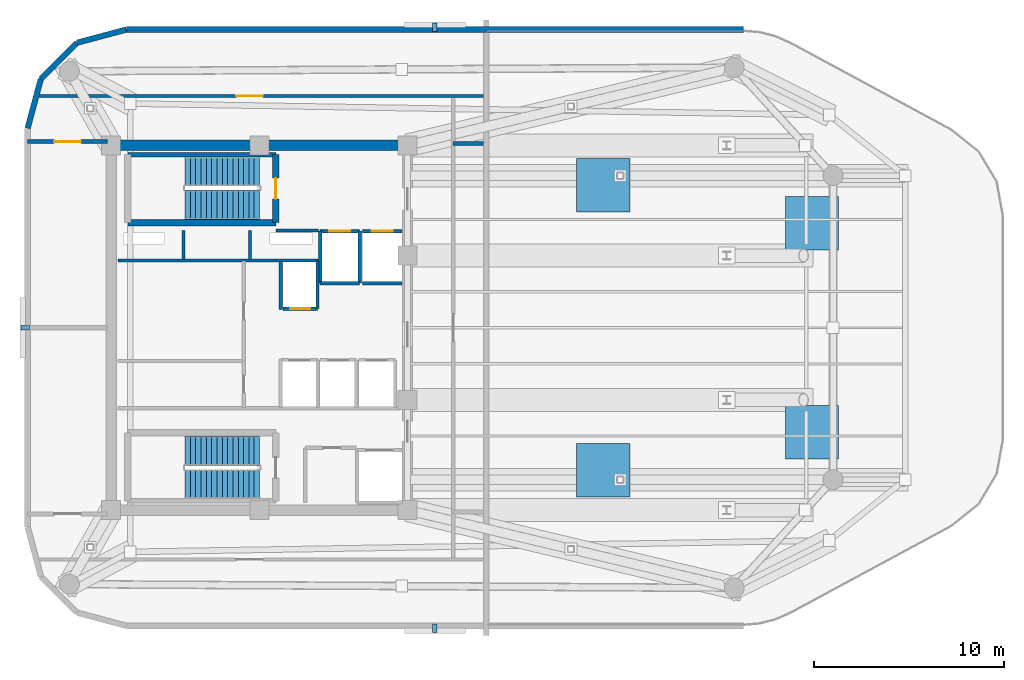
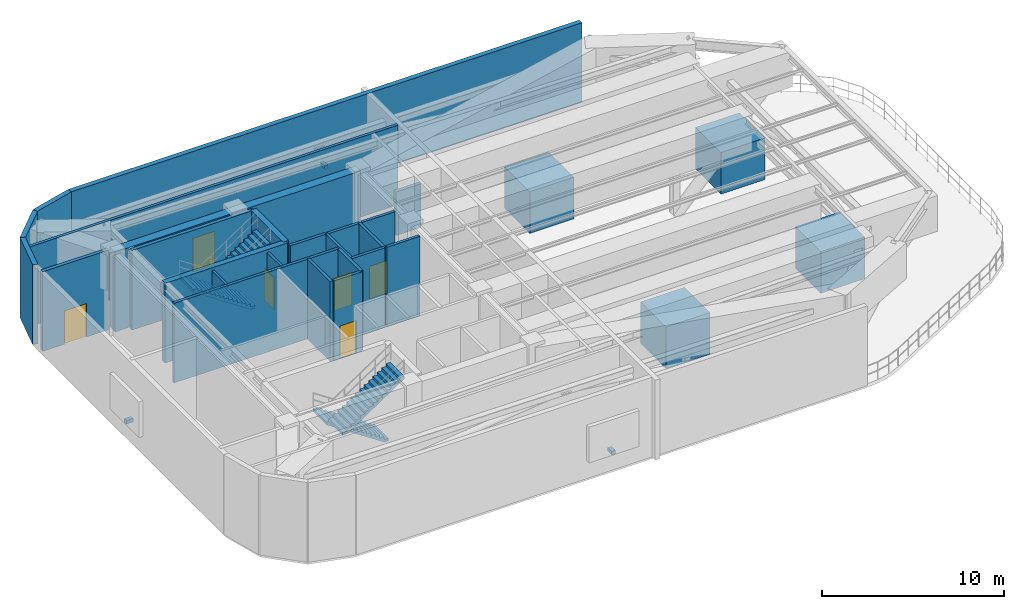
# One storey, part 4 of 6: 24 walls, 7 discrete accessories, 6 doors, 4 stair flights, 6 openings, 2 elements without a shape of their own.
"""IFC4 building model written with IfcOpenShell, lengths in metres."""

from ifc_helpers import new_model, si_unit, direction, frame, frame_2d, origin, origin_2d, place, context, subcontext, project, spatial, polyline, rectangle, outline, extrude, material, layer, layer_set, type_object, element, fill, aggregate, save


model = new_model("IFC4")

# Units and contexts
model_context = context("Model", 3, precision=1e-05, world=origin(), true_north=direction((0.0, 1.0)))
body_context = subcontext(model_context, "Body", "Model", "MODEL_VIEW")
ifc_project = project(units=[si_unit("LENGTHUNIT", "METRE"), si_unit("AREAUNIT", "SQUARE_METRE"), si_unit("VOLUMEUNIT", "CUBIC_METRE"), si_unit("PLANEANGLEUNIT", "RADIAN"), si_unit("MASSUNIT", "GRAM", prefix="KILO")], contexts=[model_context])

# Site, building, storey
site_placement = place(None, origin())
site = spatial("IfcSite", under=ifc_project, at=site_placement, CompositionType="ELEMENT")
building_placement = place(site_placement, origin())
building = spatial("IfcBuilding", under=site, at=building_placement, Name="An Khanh Terracotta Commons", CompositionType="ELEMENT")
storey_placement = place(building_placement, frame((0.0, 0.0, 248.10009765625)))
storey = spatial("IfcBuildingStorey", under=building, at=storey_placement, Name="L65", CompositionType="ELEMENT", Elevation=248.10009765625)

# Walls
ifc_material_1 = material(Name="Concrete C50/60", Category="concrete")
ifc_layer_1 = layer(ifc_material_1, 0.550048828125, Name="Concrete C50/60")
ifc_layer_set_1 = layer_set([ifc_layer_1], Name="Concrete C50/60")
wall_type_1 = type_object("IfcWallType", Name="WALL-CORE-550", PredefinedType="SHEAR", material=ifc_layer_set_1)
wall_1_placement = place(storey_placement, frame((21.60009765625, 33.60009765625, 0.0), z_axis=(0.0, 0.0, 1.0), x_axis=(1.0, 0.0, 0.0)))
element("IfcWall", 1, at=wall_1_placement, inside=storey, type_object=wall_type_1, Name="L65 Core Wall CWALL-L65-N", PredefinedType="SHEAR", context=body_context, shape_type="SweptSolid", body=[
    extrude(rectangle(XDim=15.599853515625, YDim=0.550048828125, at=frame_2d((7.7998046875, 0.0))), origin(), (0.0, 0.0, 1.0), 5.35986328125),
])
ifc_material_2 = material(Name="Fire-Rated Gypsum Board on Steel Stud", Category="steel")
ifc_layer_2 = layer(ifc_material_2, 0.179931640625, Name="Fire-Rated Gypsum Board on Steel Stud")
ifc_layer_set_2 = layer_set([ifc_layer_2], Name="Fire-Rated Gypsum Board on Steel Stud")
wall_type_2 = type_object("IfcWallType", Name="WALL-CORR-180", PredefinedType="PARTITIONING", material=ifc_layer_set_2)
wall_2_placement = place(storey_placement, frame((30.27001953125, 29.1201171875, 0.0), z_axis=(0.0, 0.0, 1.0), x_axis=(1.0, 0.0, 0.0)))
element("IfcWall", 2, at=wall_2_placement, inside=storey, type_object=wall_type_2, Name="L65 Core Wall FFLW-L65-S", PredefinedType="PARTITIONING", context=body_context, shape_type="SweptSolid", body=[
    extrude(rectangle(XDim=2.239990234375, YDim=0.179931640625, at=frame_2d((1.1201171875, 0.0))), origin(), (0.0, 0.0, 1.0), 5.35986328125),
])
wall_3_placement = place(storey_placement, frame((21.949951171875, 27.5400390625, 0.0), z_axis=(0.0, 0.0, 1.0), x_axis=(1.0, 0.0, 0.0)))
element("IfcWall", 3, at=wall_3_placement, inside=storey, type_object=wall_type_2, Name="L65 Core Wall RSRW-L65-S", PredefinedType="PARTITIONING", context=body_context, shape_type="SweptSolid", body=[
    extrude(rectangle(XDim=10.56005859375, YDim=0.179931640625, at=frame_2d((5.280029296875, 0.0))), origin(), (0.0, 0.0, 1.0), 5.35986328125),
])

# Wall, opening, door
wall_4_placement = place(storey_placement, frame((32.60009765625, 29.080078125, 0.0), z_axis=(0.0, 0.0, 1.0), x_axis=(1.0, 0.0, 0.0)))
wall_4 = element("IfcWall", 4, at=wall_4_placement, inside=storey, type_object=wall_type_2, Name="L65 Core Wall LSH-L65-FFL-01-N", PredefinedType="PARTITIONING", context=body_context, shape_type="SweptSolid", body=[
    extrude(rectangle(XDim=2.079833984375, YDim=0.179931640625, at=frame_2d((1.0400390625, 0.0))), origin(), (0.0, 0.0, 1.0), 5.35986328125),
])
opening_1_placement = place(wall_4_placement, frame((0.489990234375, 0.0, 0.0)))
opening_1 = element("IfcOpeningElement", 5, at=opening_1_placement, cuts=wall_4, Name="Opening LD-FFL-01-L65", PredefinedType="OPENING", context=body_context, shape_type="SweptSolid", body=[
    extrude(rectangle(XDim=1.10009765625, YDim=2.199951171875, at=frame_2d((0.550048828125, 1.10009765625))), frame((0.0, 0.099853515625, 0.0), z_axis=(0.0, -1.0, 0.0), x_axis=(1.0, 0.0, 0.0)), (0.0, 0.0, 1.0), 0.199951171875),
])
ifc_material_3 = material(Name="Brushed Stainless Steel Fire Landing Door", Category="steel")
door_type_1 = type_object("IfcDoorType", Name="DOOR-LD-FFL-1100", OperationType="NOTDEFINED", PredefinedType="DOOR", material=ifc_material_3)
door_1_placement = place(opening_1_placement, origin())
door_1 = element("IfcDoor", 6, at=door_1_placement, inside=storey, type_object=door_type_1, Name="L65 Lift FFL-01 Sliding Landing Door", OperationType="DOUBLE_DOOR_SLIDING", OverallHeight=2.199951171875, OverallWidth=1.10009765625, PredefinedType="DOOR", context=body_context, shape_type="SweptSolid", body=[
    extrude(rectangle(XDim=1.10009765625, YDim=2.199951171875, at=frame_2d((0.550048828125, 1.10009765625))), frame((0.0, 0.02490234375, 0.0), z_axis=(0.0, -1.0, 0.0), x_axis=(1.0, 0.0, 0.0)), (0.0, 0.0, 1.0), 0.050048828125),
])
fill(opening_1, door_1)

# Walls
wall_5_placement = place(storey_placement, frame((34.679931640625, 26.35009765625, 0.0), z_axis=(0.0, 0.0, 1.0), x_axis=(-1.0, 0.0, 0.0)))
element("IfcWall", 7, at=wall_5_placement, inside=storey, type_object=wall_type_2, Name="L65 Core Wall LSH-L65-FFL-01-S", PredefinedType="PARTITIONING", context=body_context, shape_type="SweptSolid", body=[
    extrude(rectangle(XDim=2.079833984375, YDim=0.179931640625, at=frame_2d((1.0400390625, 0.0))), origin(), (0.0, 0.0, 1.0), 5.35986328125),
])
for number, where, z_axis, x_axis, name in (
    (8, (34.679931640625, 26.35009765625, 0.0), (0.0, 0.0, 1.0), (0.0, 1.0, 0.0), "L65 Core Wall LSH-L65-FFL-01-E"),
    (9, (32.60009765625, 29.080078125, 0.0), (0.0, 0.0, 1.0), (0.0, -1.0, 0.0), "L65 Core Wall LSH-L65-FFL-01-W"),
):
    element("IfcWall", number, at=place(storey_placement, frame(where, z_axis=z_axis, x_axis=x_axis)), inside=storey, type_object=wall_type_2, Name=name, PredefinedType="PARTITIONING", context=body_context, shape_type="SweptSolid", body=[
        extrude(rectangle(XDim=2.72998046875, YDim=0.179931640625, at=frame_2d((1.364990234375, 0.0))), origin(), (0.0, 0.0, 1.0), 5.35986328125),
    ])

# Wall, opening, door
wall_6_placement = place(storey_placement, frame((34.820068359375, 29.080078125, 0.0), z_axis=(0.0, 0.0, 1.0), x_axis=(1.0, 0.0, 0.0)))
wall_6 = element("IfcWall", 10, at=wall_6_placement, inside=storey, type_object=wall_type_2, Name="L65 Core Wall LSH-L65-FFL-02-N", PredefinedType="PARTITIONING", context=body_context, shape_type="SweptSolid", body=[
    extrude(rectangle(XDim=2.079833984375, YDim=0.179931640625, at=frame_2d((1.0400390625, 0.0))), origin(), (0.0, 0.0, 1.0), 5.35986328125),
])
opening_2_placement = place(wall_6_placement, frame((0.489990234375, 0.0, 0.0)))
opening_2 = element("IfcOpeningElement", 11, at=opening_2_placement, cuts=wall_6, Name="Opening LD-FFL-02-L65", PredefinedType="OPENING", context=body_context, shape_type="SweptSolid", body=[
    extrude(rectangle(XDim=1.10009765625, YDim=2.199951171875, at=frame_2d((0.550048828125, 1.10009765625))), frame((0.0, 0.099853515625, 0.0), z_axis=(0.0, -1.0, 0.0), x_axis=(1.0, 0.0, 0.0)), (0.0, 0.0, 1.0), 0.199951171875),
])
door_2_placement = place(opening_2_placement, origin())
door_2 = element("IfcDoor", 12, at=door_2_placement, inside=storey, type_object=door_type_1, Name="L65 Lift FFL-02 Sliding Landing Door", OperationType="DOUBLE_DOOR_SLIDING", OverallHeight=2.199951171875, OverallWidth=1.10009765625, PredefinedType="DOOR", context=body_context, shape_type="SweptSolid", body=[
    extrude(rectangle(XDim=1.10009765625, YDim=2.199951171875, at=frame_2d((0.550048828125, 1.10009765625))), frame((0.0, 0.02490234375, 0.0), z_axis=(0.0, -1.0, 0.0), x_axis=(1.0, 0.0, 0.0)), (0.0, 0.0, 1.0), 0.050048828125),
])
fill(opening_2, door_2)

# Wall
wall_7_placement = place(storey_placement, frame((36.89990234375, 26.35009765625, 0.0), z_axis=(0.0, 0.0, 1.0), x_axis=(-1.0, 0.0, 0.0)))
element("IfcWall", 13, at=wall_7_placement, inside=storey, type_object=wall_type_2, Name="L65 Core Wall LSH-L65-FFL-02-S", PredefinedType="PARTITIONING", context=body_context, shape_type="SweptSolid", body=[
    extrude(rectangle(XDim=2.079833984375, YDim=0.179931640625, at=frame_2d((1.0400390625, 0.0))), origin(), (0.0, 0.0, 1.0), 5.35986328125),
])

# Wall, opening, door
wall_8_placement = place(storey_placement, frame((32.4599609375, 25.0, 0.0), z_axis=(0.0, 0.0, 1.0), x_axis=(-1.0, 0.0, 0.0)))
wall_8 = element("IfcWall", 14, at=wall_8_placement, inside=storey, type_object=wall_type_2, Name="L65 Core Wall LSH-L65-PL-H1-S", PredefinedType="PARTITIONING", context=body_context, shape_type="SweptSolid", body=[
    extrude(rectangle(XDim=1.820068359375, YDim=0.179931640625, at=frame_2d((0.91015625, 0.0))), origin(), (0.0, 0.0, 1.0), 5.35986328125),
])
opening_3_placement = place(wall_8_placement, frame((0.385009765625, 0.0, 0.0)))
opening_3 = element("IfcOpeningElement", 15, at=opening_3_placement, cuts=wall_8, Name="Opening LD-PL-H1-L65", PredefinedType="OPENING", context=body_context, shape_type="SweptSolid", body=[
    extrude(rectangle(XDim=1.050048828125, YDim=2.199951171875, at=frame_2d((0.52490234375, 1.10009765625))), frame((0.0, 0.099853515625, 0.0), z_axis=(0.0, -1.0, 0.0), x_axis=(1.0, 0.0, 0.0)), (0.0, 0.0, 1.0), 0.199951171875),
])
ifc_material_4 = material(Name="Brushed Stainless Steel High-Rise Landing Door", Category="steel")
door_type_2 = type_object("IfcDoorType", Name="DOOR-LD-PAXH-1050", OperationType="NOTDEFINED", PredefinedType="DOOR", material=ifc_material_4)
door_3_placement = place(opening_3_placement, origin())
door_3 = element("IfcDoor", 16, at=door_3_placement, inside=storey, type_object=door_type_2, Name="L65 Lift PL-H1 Sliding Landing Door", OperationType="DOUBLE_DOOR_SLIDING", OverallHeight=2.199951171875, OverallWidth=1.050048828125, PredefinedType="DOOR", context=body_context, shape_type="SweptSolid", body=[
    extrude(rectangle(XDim=1.050048828125, YDim=2.199951171875, at=frame_2d((0.52490234375, 1.10009765625))), frame((0.0, 0.02490234375, 0.0), z_axis=(0.0, -1.0, 0.0), x_axis=(1.0, 0.0, 0.0)), (0.0, 0.0, 1.0), 0.050048828125),
])
fill(opening_3, door_3)

# Walls
wall_9_placement = place(storey_placement, frame((32.4599609375, 25.0, 0.0), z_axis=(0.0, 0.0, 1.0), x_axis=(0.0, 1.0, 0.0)))
element("IfcWall", 17, at=wall_9_placement, inside=storey, type_object=wall_type_2, Name="L65 Core Wall LSH-L65-PL-H1-E", PredefinedType="PARTITIONING", context=body_context, shape_type="SweptSolid", body=[
    extrude(rectangle(XDim=2.5, YDim=0.179931640625, at=frame_2d((1.25, 0.0))), origin(), (0.0, 0.0, 1.0), 5.35986328125),
])
wall_10_placement = place(storey_placement, frame((30.52001953125, 24.949951171875, 0.0), z_axis=(0.0, 0.0, 1.0), x_axis=(0.0, 1.0, 0.0)))
element("IfcWall", 18, at=wall_10_placement, inside=storey, type_object=wall_type_2, Name="L65 Core Wall RECW-L65-BE1", PredefinedType="PARTITIONING", context=body_context, shape_type="SweptSolid", body=[
    extrude(rectangle(XDim=2.550048828125, YDim=0.179931640625, at=frame_2d((1.27490234375, 0.0))), origin(), (0.0, 0.0, 1.0), 5.35986328125),
])

# Wall, opening, door
wall_11_placement = place(storey_placement, frame((17.656005859375, 36.199951171875, 0.0), z_axis=(0.0, 0.0, 1.0), x_axis=(1.0, 0.0, 0.0)))
wall_11 = element("IfcWall", 19, at=wall_11_placement, inside=storey, type_object=wall_type_2, Name="L65 Interior Partition IW-L65-E007", PredefinedType="PARTITIONING", context=body_context, shape_type="SweptSolid", body=[
    extrude(rectangle(XDim=23.5439453125, YDim=0.179931640625, at=frame_2d((11.77197265625, 0.0))), origin(), (0.0, 0.0, 1.0), 5.35986328125),
])
opening_4_placement = place(wall_11_placement, frame((10.531982421875, 0.0, 0.0)))
opening_4 = element("IfcOpeningElement", 20, at=opening_4_placement, cuts=wall_11, Name="Opening D-PL", PredefinedType="OPENING", context=body_context, shape_type="SweptSolid", body=[
    extrude(rectangle(XDim=1.39990234375, YDim=2.25, at=frame_2d((0.699951171875, 1.125))), frame((0.0, 0.099853515625, 0.0), z_axis=(0.0, -1.0, 0.0), x_axis=(1.0, 0.0, 0.0)), (0.0, 0.0, 1.0), 0.199951171875),
])
ifc_material_5 = material(Name="Heavy-Duty Acoustic Steel Double Plant Door", Category="steel")
door_type_3 = type_object("IfcDoorType", Name="DOOR-PLANT-1400", OperationType="NOTDEFINED", PredefinedType="DOOR", material=ifc_material_5)
door_4_placement = place(opening_4_placement, origin())
door_4 = element("IfcDoor", 21, at=door_4_placement, inside=storey, type_object=door_type_3, Name="L65 REFN North Pressurised Refuge Area Door", OperationType="DOUBLE_DOOR_SINGLE_SWING", OverallHeight=2.25, OverallWidth=1.39990234375, PredefinedType="DOOR", context=body_context, shape_type="SweptSolid", body=[
    extrude(rectangle(XDim=1.39990234375, YDim=2.25, at=frame_2d((0.699951171875, 1.125))), frame((0.0, 0.02490234375, 0.0), z_axis=(0.0, -1.0, 0.0), x_axis=(1.0, 0.0, 0.0)), (0.0, 0.0, 1.0), 0.050048828125),
])
fill(opening_4, door_4)

# Walls
ifc_material_6 = material(Name="Precast concrete C40/50", Category="concrete")
ifc_layer_3 = layer(ifc_material_6, 0.300048828125, Name="Precast concrete C40/50")
ifc_layer_set_3 = layer_set([ifc_layer_3], Name="Precast concrete C40/50")
wall_type_3 = type_object("IfcWallType", Name="WALL-EXT-300", PredefinedType="SOLIDWALL", material=ifc_layer_set_3)
wall_12_placement = place(storey_placement, frame((54.885009765625, 39.699951171875, 0.0), z_axis=(0.0, 0.0, 1.0), x_axis=(-1.0, 0.0, 0.0)))
element("IfcWall", 22, at=wall_12_placement, inside=storey, type_object=wall_type_3, Name="L65 Refuge Perimeter Wall 20", PredefinedType="SOLIDWALL", context=body_context, shape_type="SweptSolid", body=[
    extrude(rectangle(XDim=32.485107421875, YDim=0.300048828125, at=frame_2d((16.24267578125, 0.0))), origin(), (0.0, 0.0, 1.0), 5.35986328125),
])
wall_13_placement = place(storey_placement, frame((22.39990234375, 39.699951171875, 0.0), z_axis=(0.0, 0.0, 1.0), x_axis=(-0.965889330541, -0.258955210695, 0.0)))
element("IfcWall", 23, at=wall_13_placement, inside=storey, type_object=wall_type_3, Name="L65 Refuge Perimeter Wall 21", PredefinedType="SOLIDWALL", context=body_context, shape_type="SweptSolid", body=[
    extrude(rectangle(XDim=2.691650390625, YDim=0.300048828125, at=frame_2d((1.345703125, 0.0))), origin(), (0.0, 0.0, 1.0), 5.35986328125),
])
wall_14_placement = place(storey_placement, frame((19.800048828125, 39.0029296875, 0.0), z_axis=(0.0, 0.0, 1.0), x_axis=(-0.707152139074, -0.70706142039, 0.0)))
element("IfcWall", 24, at=wall_14_placement, inside=storey, type_object=wall_type_3, Name="L65 Refuge Perimeter Wall 22", PredefinedType="SOLIDWALL", context=body_context, shape_type="SweptSolid", body=[
    extrude(rectangle(XDim=2.691162109375, YDim=0.300048828125, at=frame_2d((1.345703125, 0.0))), origin(), (0.0, 0.0, 1.0), 5.35986328125),
])
wall_15_placement = place(storey_placement, frame((17.89697265625, 37.10009765625, 0.0), z_axis=(0.0, 0.0, 1.0), x_axis=(-0.258932525951, -0.965895412042, 0.0)))
element("IfcWall", 25, at=wall_15_placement, inside=storey, type_object=wall_type_3, Name="L65 Refuge Perimeter Wall 23", PredefinedType="SOLIDWALL", context=body_context, shape_type="SweptSolid", body=[
    extrude(rectangle(XDim=2.69189453125, YDim=0.300048828125, at=frame_2d((1.345947265625, 0.0))), origin(), (0.0, 0.0, 1.0), 5.35986328125),
])
ifc_material_7 = material(Name="Acoustic Gypsum Board Partition")
ifc_layer_4 = layer(ifc_material_7, 0.14990234375, Name="Acoustic Gypsum Board Partition")
ifc_layer_set_4 = layer_set([ifc_layer_4], Name="Acoustic Gypsum Board Partition")
wall_type_4 = type_object("IfcWallType", Name="WALL-PART-150", PredefinedType="PARTITIONING", material=ifc_layer_set_4)
for number, where, z_axis, x_axis, name in (
    (26, (25.39990234375, 27.60009765625, 0.0), (0.0, 0.0, 1.0), (0.0, 1.0, 0.0), "L65 Core Wall RSRW-L65-D1"),
    (27, (28.89990234375, 27.60009765625, 0.0), (0.0, 0.0, 1.0), (0.0, 1.0, 0.0), "L65 Core Wall RSRW-L65-D2"),
):
    element("IfcWall", number, at=place(storey_placement, frame(where, z_axis=z_axis, x_axis=x_axis)), inside=storey, type_object=wall_type_4, Name=name, PredefinedType="PARTITIONING", context=body_context, shape_type="SweptSolid", body=[
        extrude(rectangle(XDim=1.52001953125, YDim=0.14990234375, at=frame_2d((0.760009765625, 0.0))), origin(), (0.0, 0.0, 1.0), 5.35986328125),
    ])
ifc_material_8 = material(Name="Acoustic Double-Stud Gypsum and Mineral Wool")
ifc_layer_5 = layer(ifc_material_8, 0.219970703125, Name="Acoustic Double-Stud Gypsum and Mineral Wool")
ifc_layer_set_5 = layer_set([ifc_layer_5], Name="Acoustic Double-Stud Gypsum and Mineral Wool")
wall_type_5 = type_object("IfcWallType", Name="WALL-PARTY-220", PredefinedType="PARTITIONING", material=ifc_layer_set_5)
wall_16_placement = place(storey_placement, frame((22.47998046875, 33.110107421875, 0.0), z_axis=(0.0, 0.0, 1.0), x_axis=(1.0, 0.0, 0.0)))
element("IfcWall", 28, at=wall_16_placement, inside=storey, type_object=wall_type_5, Name="L65 Core Wall STW-L65-N-N", PredefinedType="PARTITIONING", context=body_context, shape_type="SweptSolid", body=[
    extrude(rectangle(XDim=7.7900390625, YDim=0.219970703125, at=frame_2d((3.89501953125, 0.0))), origin(), (0.0, 0.0, 1.0), 5.35986328125),
])
wall_17_placement = place(storey_placement, frame((39.60009765625, 33.699951171875, 0.0), z_axis=(0.0, 0.0, 1.0), x_axis=(1.0, 0.0, 0.0)))
element("IfcWall", 29, at=wall_17_placement, inside=storey, type_object=wall_type_5, Name="L65 Interior Partition IW-L65-E005", PredefinedType="PARTITIONING", context=body_context, shape_type="SweptSolid", body=[
    extrude(rectangle(XDim=1.599853515625, YDim=0.219970703125, at=frame_2d((0.7998046875, 0.0))), origin(), (0.0, 0.0, 1.0), 2.94189453125),
])

# Wall, opening, door
wall_18_placement = place(storey_placement, frame((17.199951171875, 33.800048828125, 0.0), z_axis=(0.0, 0.0, 1.0), x_axis=(1.0, 0.0, 0.0)))
wall_18 = element("IfcWall", 30, at=wall_18_placement, inside=storey, type_object=wall_type_5, Name="L65 Interior Partition IW-L65-E006", PredefinedType="PARTITIONING", context=body_context, shape_type="SweptSolid", body=[
    extrude(rectangle(XDim=4.199951171875, YDim=0.219970703125, at=frame_2d((2.10009765625, 0.0))), origin(), (0.0, 0.0, 1.0), 5.35986328125),
])
opening_5_placement = place(wall_18_placement, frame((1.39990234375, 0.0, 0.0)))
opening_5 = element("IfcOpeningElement", 31, at=opening_5_placement, cuts=wall_18, Name="Opening D-PL", PredefinedType="OPENING", context=body_context, shape_type="SweptSolid", body=[
    extrude(rectangle(XDim=1.39990234375, YDim=2.25, at=frame_2d((0.699951171875, 1.125))), frame((0.0, 0.119873046875, 0.0), z_axis=(0.0, -1.0, 0.0), x_axis=(1.0, 0.0, 0.0)), (0.0, 0.0, 1.0), 0.239990234375),
])
door_5_placement = place(opening_5_placement, origin())
door_5 = element("IfcDoor", 32, at=door_5_placement, inside=storey, type_object=door_type_3, Name="L65 WPMP Booster Water Pump Plant Room Door", OperationType="DOUBLE_DOOR_SINGLE_SWING", OverallHeight=2.25, OverallWidth=1.39990234375, PredefinedType="DOOR", context=body_context, shape_type="SweptSolid", body=[
    extrude(rectangle(XDim=1.39990234375, YDim=2.25, at=frame_2d((0.699951171875, 1.125))), frame((0.0, 0.02490234375, 0.0), z_axis=(0.0, -1.0, 0.0), x_axis=(1.0, 0.0, 0.0)), (0.0, 0.0, 1.0), 0.050048828125),
])
fill(opening_5, door_5)

# Wall
ifc_layer_6 = layer(ifc_material_1, 0.35009765625, Name="Concrete C50/60")
ifc_layer_set_6 = layer_set([ifc_layer_6], Name="Concrete C50/60")
wall_type_6 = type_object("IfcWallType", Name="WALL-SHAFT-350", PredefinedType="SOLIDWALL", material=ifc_layer_set_6)
wall_19_placement = place(storey_placement, frame((22.47998046875, 29.530029296875, 0.0), z_axis=(0.0, 0.0, 1.0), x_axis=(1.0, 0.0, 0.0)))
element("IfcWall", 33, at=wall_19_placement, inside=storey, type_object=wall_type_6, Name="L65 Core Wall STW-L65-N-S", PredefinedType="SOLIDWALL", context=body_context, shape_type="SweptSolid", body=[
    extrude(rectangle(XDim=7.7900390625, YDim=0.35009765625, at=frame_2d((3.89501953125, 0.0))), origin(), (0.0, 0.0, 1.0), 5.35986328125),
])

# Wall, opening, door
wall_20_placement = place(storey_placement, frame((30.27001953125, 29.530029296875, 0.0), z_axis=(0.0, 0.0, 1.0), x_axis=(0.0, 1.0, 0.0)))
wall_20 = element("IfcWall", 34, at=wall_20_placement, inside=storey, type_object=wall_type_6, Name="L65 Core Wall STW-L65-N-E", PredefinedType="SOLIDWALL", context=body_context, shape_type="SweptSolid", body=[
    extrude(rectangle(XDim=3.580078125, YDim=0.35009765625, at=frame_2d((1.7900390625, 0.0))), origin(), (0.0, 0.0, 1.0), 5.35986328125),
])
opening_6_placement = place(wall_20_placement, frame((1.25, 0.0, 0.0)))
opening_6 = element("IfcOpeningElement", 35, at=opening_6_placement, cuts=wall_20, Name="Opening D-ST", PredefinedType="OPENING", context=body_context, shape_type="SweptSolid", body=[
    extrude(rectangle(XDim=1.10009765625, YDim=2.14990234375, at=frame_2d((0.550048828125, 1.074951171875))), frame((0.0, 0.18505859375, 0.0), z_axis=(0.0, -1.0, 0.0), x_axis=(1.0, 0.0, 0.0)), (0.0, 0.0, 1.0), 0.3701171875),
])
ifc_material_9 = material(Name="Fire-Rated Steel Leaf and Frame", Category="steel")
door_type_4 = type_object("IfcDoorType", Name="DOOR-STAIR-1100", OperationType="NOTDEFINED", PredefinedType="DOOR", material=ifc_material_9)
door_6_placement = place(opening_6_placement, origin())
door_6 = element("IfcDoor", 36, at=door_6_placement, inside=storey, type_object=door_type_4, Name="L65 Stair ST-01 Fire Door", OperationType="SINGLE_SWING_LEFT", OverallHeight=2.14990234375, OverallWidth=1.10009765625, PredefinedType="DOOR", context=body_context, shape_type="SweptSolid", body=[
    extrude(rectangle(XDim=1.10009765625, YDim=2.14990234375, at=frame_2d((0.550048828125, 1.074951171875))), frame((0.0, 0.02490234375, 0.0), z_axis=(0.0, -1.0, 0.0), x_axis=(1.0, 0.0, 0.0)), (0.0, 0.0, 1.0), 0.050048828125),
])
fill(opening_6, door_6)

# Stair, stair flights
stair_type = type_object("IfcStairType", Name="STAIR-CORE-1550", PredefinedType="HALF_TURN_STAIR", material=ifc_material_6)
stair_1_placement = place(storey_placement, origin())
stair_1 = element("IfcStair", 37, at=stair_1_placement, inside=storey, type_object=stair_type, Name="L65 Core Smokeproof Exit Stair ST-01", PredefinedType="HALF_TURN_STAIR")
stair_flight_type = type_object("IfcStairFlightType", Name="FLIGHT-CORE-1550", PredefinedType="STRAIGHT", material=ifc_material_6)
stair_flight_1_placement = place(storey_placement, frame((29.409912109375, 32.22509765625, 0.0), z_axis=(0.0, 0.0, 1.0), x_axis=(-1.0, 0.0, 0.0)))
stair_flight_1 = element("IfcStairFlight", 38, at=stair_flight_1_placement, type_object=stair_flight_type, Name="ST-01 flight 1", NumberOfRisers=15, NumberOfTreads=14, PredefinedType="STRAIGHT", RiserHeight=0.186666667, TreadLength=0.28, context=body_context, shape_type="SweptSolid", body=[
    extrude(outline(polyline([(0.0, 0.0), (0.0, 0.186767578125), (0.280029296875, 0.186767578125), (0.280029296875, 0.373291015625), (0.56005859375, 0.373291015625), (0.56005859375, 0.56005859375), (0.840087890625, 0.56005859375), (0.840087890625, 0.74658203125), (1.1201171875, 0.74658203125), (1.1201171875, 0.933349609375), (1.39990234375, 0.933349609375), (1.39990234375, 1.1201171875), (1.679931640625, 1.1201171875), (1.679931640625, 1.306640625), (1.9599609375, 1.306640625), (1.9599609375, 1.493408203125), (2.239990234375, 1.493408203125), (2.239990234375, 1.679931640625), (2.52001953125, 1.679931640625), (2.52001953125, 1.86669921875), (2.800048828125, 1.86669921875), (2.800048828125, 2.05322265625), (3.080078125, 2.05322265625), (3.080078125, 2.239990234375), (3.360107421875, 2.239990234375), (3.360107421875, 2.4267578125), (3.639892578125, 2.4267578125), (3.639892578125, 2.61328125), (3.919921875, 2.61328125), (3.919921875, 2.800048828125), (3.919921875, 2.43310546875), (0.270263671875, 0.0), (0.0, 0.0)])), frame((0.0, 0.77490234375, 0.0), z_axis=(0.0, -1.0, 0.0), x_axis=(1.0, 0.0, 0.0)), (0.0, 0.0, 1.0), 1.550048828125),
])
stair_flight_2_placement = place(storey_placement, frame((25.489990234375, 30.47509765625, 2.7998046875), z_axis=(0.0, 0.0, 1.0), x_axis=(1.0, 0.0, 0.0)))
stair_flight_2 = element("IfcStairFlight", 39, at=stair_flight_2_placement, type_object=stair_flight_type, Name="ST-01 flight 2", NumberOfRisers=15, NumberOfTreads=14, PredefinedType="STRAIGHT", RiserHeight=0.186666667, TreadLength=0.28, context=body_context, shape_type="SweptSolid", body=[
    extrude(outline(polyline([(0.0, 0.0), (0.0, 0.186767578125), (0.280029296875, 0.186767578125), (0.280029296875, 0.373291015625), (0.56005859375, 0.373291015625), (0.56005859375, 0.56005859375), (0.840087890625, 0.56005859375), (0.840087890625, 0.74658203125), (1.1201171875, 0.74658203125), (1.1201171875, 0.933349609375), (1.39990234375, 0.933349609375), (1.39990234375, 1.1201171875), (1.679931640625, 1.1201171875), (1.679931640625, 1.306640625), (1.9599609375, 1.306640625), (1.9599609375, 1.493408203125), (2.239990234375, 1.493408203125), (2.239990234375, 1.679931640625), (2.52001953125, 1.679931640625), (2.52001953125, 1.86669921875), (2.800048828125, 1.86669921875), (2.800048828125, 2.05322265625), (3.080078125, 2.05322265625), (3.080078125, 2.239990234375), (3.360107421875, 2.239990234375), (3.360107421875, 2.4267578125), (3.639892578125, 2.4267578125), (3.639892578125, 2.61328125), (3.919921875, 2.61328125), (3.919921875, 2.800048828125), (3.919921875, 2.43310546875), (0.270263671875, 0.0), (0.0, 0.0)])), frame((0.0, 0.77490234375, 0.0), z_axis=(0.0, -1.0, 0.0), x_axis=(1.0, 0.0, 0.0)), (0.0, 0.0, 1.0), 1.550048828125),
])
aggregate(stair_1, [stair_flight_1, stair_flight_2])

stair_2_placement = place(storey_placement, origin())
stair_2 = element("IfcStair", 40, at=stair_2_placement, inside=storey, type_object=stair_type, Name="L65 Core Smokeproof Exit Stair ST-02", PredefinedType="HALF_TURN_STAIR")
stair_flight_3_placement = place(storey_placement, frame((29.409912109375, 17.52490234375, 0.0), z_axis=(0.0, 0.0, 1.0), x_axis=(-1.0, 0.0, 0.0)))
stair_flight_3 = element("IfcStairFlight", 41, at=stair_flight_3_placement, type_object=stair_flight_type, Name="ST-02 flight 1", NumberOfRisers=15, NumberOfTreads=14, PredefinedType="STRAIGHT", RiserHeight=0.186666667, TreadLength=0.28, context=body_context, shape_type="SweptSolid", body=[
    extrude(outline(polyline([(0.0, 0.0), (0.0, 0.186767578125), (0.280029296875, 0.186767578125), (0.280029296875, 0.373291015625), (0.56005859375, 0.373291015625), (0.56005859375, 0.56005859375), (0.840087890625, 0.56005859375), (0.840087890625, 0.74658203125), (1.1201171875, 0.74658203125), (1.1201171875, 0.933349609375), (1.39990234375, 0.933349609375), (1.39990234375, 1.1201171875), (1.679931640625, 1.1201171875), (1.679931640625, 1.306640625), (1.9599609375, 1.306640625), (1.9599609375, 1.493408203125), (2.239990234375, 1.493408203125), (2.239990234375, 1.679931640625), (2.52001953125, 1.679931640625), (2.52001953125, 1.86669921875), (2.800048828125, 1.86669921875), (2.800048828125, 2.05322265625), (3.080078125, 2.05322265625), (3.080078125, 2.239990234375), (3.360107421875, 2.239990234375), (3.360107421875, 2.4267578125), (3.639892578125, 2.4267578125), (3.639892578125, 2.61328125), (3.919921875, 2.61328125), (3.919921875, 2.800048828125), (3.919921875, 2.43310546875), (0.270263671875, 0.0), (0.0, 0.0)])), frame((0.0, 0.77490234375, 0.0), z_axis=(0.0, -1.0, 0.0), x_axis=(1.0, 0.0, 0.0)), (0.0, 0.0, 1.0), 1.550048828125),
])
stair_flight_4_placement = place(storey_placement, frame((25.489990234375, 15.77490234375, 2.7998046875), z_axis=(0.0, 0.0, 1.0), x_axis=(1.0, 0.0, 0.0)))
stair_flight_4 = element("IfcStairFlight", 42, at=stair_flight_4_placement, type_object=stair_flight_type, Name="ST-02 flight 2", NumberOfRisers=15, NumberOfTreads=14, PredefinedType="STRAIGHT", RiserHeight=0.186666667, TreadLength=0.28, context=body_context, shape_type="SweptSolid", body=[
    extrude(outline(polyline([(0.0, 0.0), (0.0, 0.186767578125), (0.280029296875, 0.186767578125), (0.280029296875, 0.373291015625), (0.56005859375, 0.373291015625), (0.56005859375, 0.56005859375), (0.840087890625, 0.56005859375), (0.840087890625, 0.74658203125), (1.1201171875, 0.74658203125), (1.1201171875, 0.933349609375), (1.39990234375, 0.933349609375), (1.39990234375, 1.1201171875), (1.679931640625, 1.1201171875), (1.679931640625, 1.306640625), (1.9599609375, 1.306640625), (1.9599609375, 1.493408203125), (2.239990234375, 1.493408203125), (2.239990234375, 1.679931640625), (2.52001953125, 1.679931640625), (2.52001953125, 1.86669921875), (2.800048828125, 1.86669921875), (2.800048828125, 2.05322265625), (3.080078125, 2.05322265625), (3.080078125, 2.239990234375), (3.360107421875, 2.239990234375), (3.360107421875, 2.4267578125), (3.639892578125, 2.4267578125), (3.639892578125, 2.61328125), (3.919921875, 2.61328125), (3.919921875, 2.800048828125), (3.919921875, 2.43310546875), (0.270263671875, 0.0), (0.0, 0.0)])), frame((0.0, 0.77490234375, 0.0), z_axis=(0.0, -1.0, 0.0), x_axis=(1.0, 0.0, 0.0)), (0.0, 0.0, 1.0), 1.550048828125),
])
aggregate(stair_2, [stair_flight_3, stair_flight_4])

# Discrete accessories
ifc_material_10 = material(Name="Brushed Stainless Steel and Anodised Aluminium", Category="steel")
discrete_accessory_type_1 = type_object("IfcDiscreteAccessoryType", Name="Shrouded Wind Turbine Unit", PredefinedType="USERDEFINED", material=ifc_material_10)
for number, where, z_axis, x_axis, name in (
    (43, (47.5, 16.5, 0.0), (0.0, 0.0, 1.0), (1.0, 0.0, 0.0), "L65 Shrouded Auxiliary Wind Turbine 1"),
    (44, (47.5, 31.5, 0.0), (0.0, 0.0, 1.0), (1.0, 0.0, 0.0), "L65 Shrouded Auxiliary Wind Turbine 2"),
    (45, (58.5, 18.5, 0.0), (0.0, 0.0, 1.0), (1.0, 0.0, 0.0), "L65 Shrouded Auxiliary Wind Turbine 3"),
    (46, (58.5, 29.5, 0.0), (0.0, 0.0, 1.0), (1.0, 0.0, 0.0), "L65 Shrouded Auxiliary Wind Turbine 4"),
):
    element("IfcDiscreteAccessory", number, at=place(storey_placement, frame(where, z_axis=z_axis, x_axis=x_axis)), inside=storey, type_object=discrete_accessory_type_1, Name=name, ObjectType="WIND TURBINE", PredefinedType="USERDEFINED", context=body_context, shape_type="SweptSolid", body=[
        extrude(rectangle(XDim=2.800048828125, YDim=2.800048828125, at=origin_2d()), origin(), (0.0, 0.0, 1.0), 2.800048828125),
    ])
ifc_material_11 = material(Name="Stainless Steel Grade 316L", Category="steel")
discrete_accessory_type_2 = type_object("IfcDiscreteAccessoryType", Name="Stainless Outrigger Facade Bracket", PredefinedType="BRACKET", material=ifc_material_11)
for number, where, z_axis, x_axis, name in (
    (47, (38.64208984375, 8.179931640625, 1.1796875), (0.0, 0.0, 1.0), (1.0, 0.0, 0.0), "L65 Louvre Carrier Bracket 4"),
    (48, (38.64208984375, 39.820068359375, 1.1796875), (0.0, 0.0, 1.0), (-1.0, 0.0, 0.0), "L65 Louvre Carrier Bracket 20"),
    (49, (17.080078125, 24.0, 1.1796875), (0.0, 0.0, 1.0), (0.0, -1.0, 0.0), "L65 Louvre Carrier Bracket 24"),
):
    element("IfcDiscreteAccessory", number, at=place(storey_placement, frame(where, z_axis=z_axis, x_axis=x_axis)), inside=storey, type_object=discrete_accessory_type_2, Name=name, PredefinedType="BRACKET", context=body_context, shape_type="SweptSolid", body=[
        extrude(rectangle(XDim=0.239990234375, YDim=0.449951171875, at=origin_2d()), origin(), (0.0, 0.0, 1.0), 0.239990234375),
    ])

save(model, "model.ifc")
